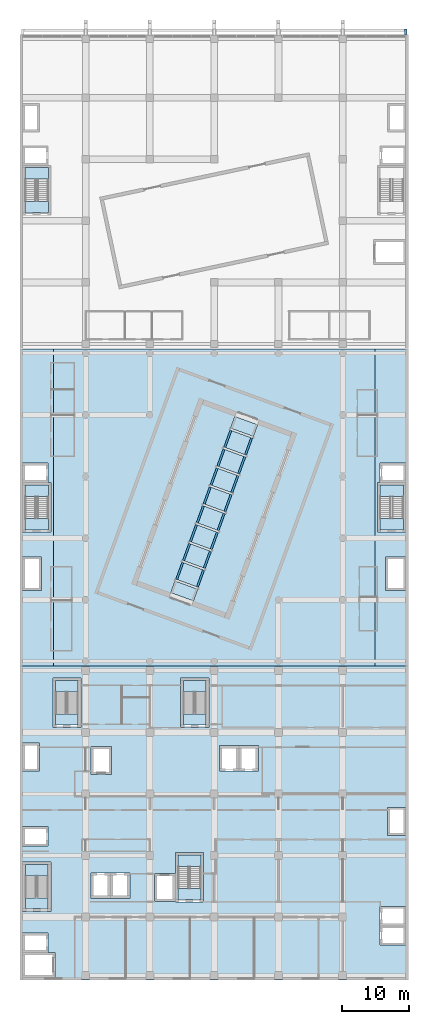
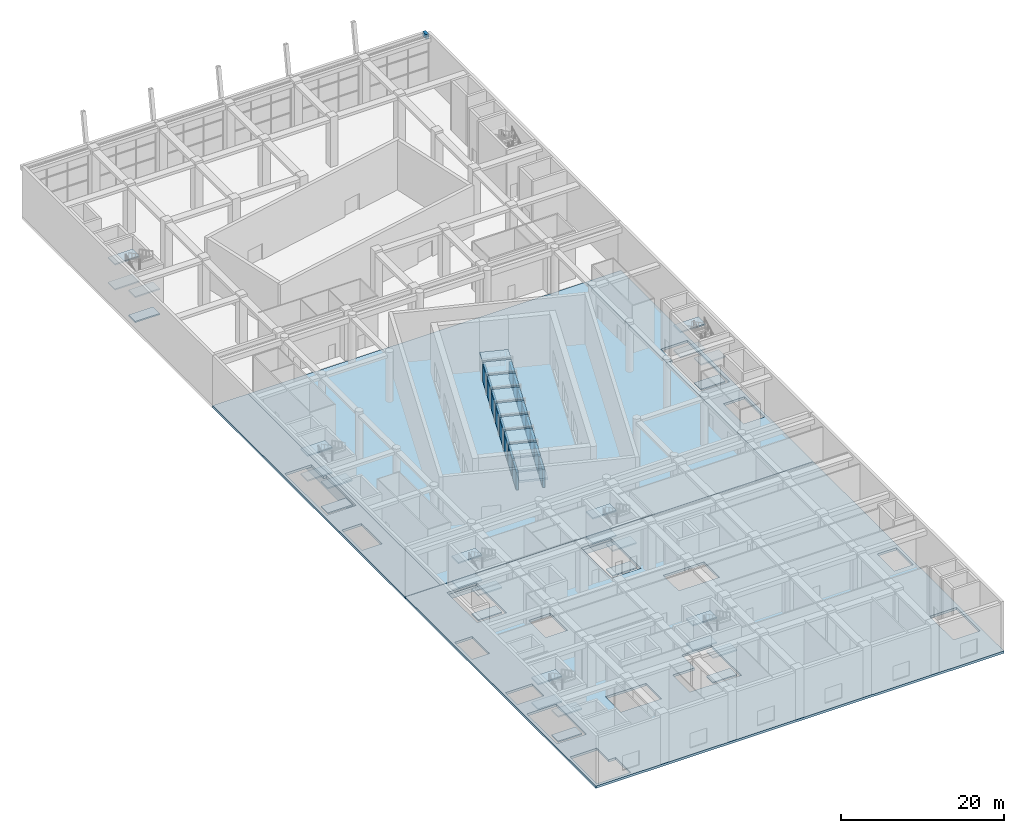
# One storey, part 11 of 36: 34 slabs, 24 plates, 1 beam, 7 elements without a shape of their own.
"""IFC4 building model written with IfcOpenShell, lengths in metres."""

from ifc_helpers import new_model, si_unit, direction, frame, origin, origin_2d, place, context, subcontext, project, spatial, polyline, rectangle, outline, extrude, material, layer, layer_set, material_profile, profile_set, type_object, element, aggregate, save


model = new_model("IFC4")

# Units and contexts
model_context = context("Model", 3, precision=1e-05, world=origin(), true_north=direction((0.0, 1.0)))
body_context = subcontext(model_context, "Body", "Model", "MODEL_VIEW")
ifc_project = project(units=[si_unit("LENGTHUNIT", "METRE"), si_unit("AREAUNIT", "SQUARE_METRE"), si_unit("VOLUMEUNIT", "CUBIC_METRE"), si_unit("PLANEANGLEUNIT", "RADIAN"), si_unit("MASSUNIT", "GRAM", prefix="KILO")], contexts=[model_context])

# Site, building, storey
site_placement = place(None, origin())
site = spatial("IfcSite", under=ifc_project, at=site_placement, CompositionType="ELEMENT")
building_placement = place(site_placement, origin())
building = spatial("IfcBuilding", under=site, at=building_placement, Name="Nzadi Deep Aquarium and Research Tower", CompositionType="ELEMENT")
storey_placement = place(building_placement, frame((0.0, 0.0, 14.199951171875)))
storey = spatial("IfcBuildingStorey", under=building, at=storey_placement, Name="L02", CompositionType="ELEMENT", Elevation=14.199951171875)

# Beam
ifc_material_1 = material(Name="Concrete C35/45", Category="concrete")
ifc_material_profile = material_profile(ifc_material_1, rectangle(XDim=0.39990234375, YDim=0.699951171875, at=origin_2d()))
ifc_profile_set = profile_set([ifc_material_profile], Name="Concrete C35/45")
beam_type = type_object("IfcBeamType", Name="RC 400x700", PredefinedType="BEAM", material=ifc_profile_set)
beam_placement = place(storey_placement, frame((57.39990234375, 141.0, 6.800048828125), z_axis=(0.0, 1.0, 0.0), x_axis=(-1.0, 0.0, 0.0)))
element("IfcBeam", 1, at=beam_placement, inside=storey, type_object=beam_type, Name="B-Z3-L03-CB7", PredefinedType="BEAM", context=body_context, shape_type="SweptSolid", body=[
    extrude(rectangle(XDim=0.39990234375, YDim=0.699951171875, at=origin_2d()), origin(), (0.0, 0.0, 1.0), 0.85009765625),
])

# Plates
ifc_material_2 = material(Name="Acrylic sheet")
ifc_layer_1 = layer(ifc_material_2, 0.300048828125)
ifc_layer_set_1 = layer_set([ifc_layer_1], Name="Acrylic sheet")
plate_type = type_object("IfcPlateType", Name="Acrylic panel 300", PredefinedType="SHEET", material=ifc_layer_set_1)
for number, where, z_axis, x_axis, name in (
    (2, (23.658203125, 60.8974609375, 0.0), (0.0, 0.0, 1.0), (0.939692620786, -0.342020143326, 0.0), "PL-TUN-S1W"),
    (3, (26.75927734375, 59.768798828125, 0.0), (0.0, 0.0, 1.0), (0.939692620786, -0.342020143326, 0.0), "PL-TUN-S1E"),
):
    element("IfcPlate", number, at=place(storey_placement, frame(where, z_axis=z_axis, x_axis=x_axis)), inside=storey, type_object=plate_type, Name=name, PredefinedType="SHEET", context=body_context, shape_type="SweptSolid", body=[
        extrude(rectangle(XDim=0.300048828125, YDim=2.699951171875, at=origin_2d()), origin(), (0.0, 0.0, 1.0), 2.60009765625),
    ])
plate_1_placement = place(storey_placement, frame((25.208740234375, 60.333251953125, 2.60009765625), z_axis=(0.0, 0.0, 1.0), x_axis=(0.939692620786, -0.342020143326, 0.0)))
element("IfcPlate", 4, at=plate_1_placement, inside=storey, type_object=plate_type, Name="PL-TUN-R1", PredefinedType="SHEET", context=body_context, shape_type="SweptSolid", body=[
    extrude(rectangle(XDim=3.60009765625, YDim=2.699951171875, at=origin_2d()), origin(), (0.0, 0.0, 1.0), 0.300048828125),
])
for number, where, z_axis, x_axis, name in (
    (5, (24.684326171875, 63.716552734375, 0.0), (0.0, 0.0, 1.0), (0.939692620786, -0.342020143326, 0.0), "PL-TUN-S2W"),
    (6, (27.785400390625, 62.587890625, 0.0), (0.0, 0.0, 1.0), (0.939692620786, -0.342020143326, 0.0), "PL-TUN-S2E"),
):
    element("IfcPlate", number, at=place(storey_placement, frame(where, z_axis=z_axis, x_axis=x_axis)), inside=storey, type_object=plate_type, Name=name, PredefinedType="SHEET", context=body_context, shape_type="SweptSolid", body=[
        extrude(rectangle(XDim=0.300048828125, YDim=2.699951171875, at=origin_2d()), origin(), (0.0, 0.0, 1.0), 2.60009765625),
    ])
plate_2_placement = place(storey_placement, frame((26.23486328125, 63.15234375, 2.60009765625), z_axis=(0.0, 0.0, 1.0), x_axis=(0.939692620786, -0.342020143326, 0.0)))
element("IfcPlate", 7, at=plate_2_placement, inside=storey, type_object=plate_type, Name="PL-TUN-R2", PredefinedType="SHEET", context=body_context, shape_type="SweptSolid", body=[
    extrude(rectangle(XDim=3.60009765625, YDim=2.699951171875, at=origin_2d()), origin(), (0.0, 0.0, 1.0), 0.300048828125),
])
for number, where, z_axis, x_axis, name in (
    (8, (25.71044921875, 66.53564453125, 0.0), (0.0, 0.0, 1.0), (0.939692620786, -0.342020143326, 0.0), "PL-TUN-S3W"),
    (9, (28.8115234375, 65.406982421875, 0.0), (0.0, 0.0, 1.0), (0.939692620786, -0.342020143326, 0.0), "PL-TUN-S3E"),
):
    element("IfcPlate", number, at=place(storey_placement, frame(where, z_axis=z_axis, x_axis=x_axis)), inside=storey, type_object=plate_type, Name=name, PredefinedType="SHEET", context=body_context, shape_type="SweptSolid", body=[
        extrude(rectangle(XDim=0.300048828125, YDim=2.699951171875, at=origin_2d()), origin(), (0.0, 0.0, 1.0), 2.60009765625),
    ])
plate_3_placement = place(storey_placement, frame((27.260986328125, 65.971435546875, 2.60009765625), z_axis=(0.0, 0.0, 1.0), x_axis=(0.939692620786, -0.342020143326, 0.0)))
element("IfcPlate", 10, at=plate_3_placement, inside=storey, type_object=plate_type, Name="PL-TUN-R3", PredefinedType="SHEET", context=body_context, shape_type="SweptSolid", body=[
    extrude(rectangle(XDim=3.60009765625, YDim=2.699951171875, at=origin_2d()), origin(), (0.0, 0.0, 1.0), 0.300048828125),
])
for number, where, z_axis, x_axis, name in (
    (11, (26.736572265625, 69.354736328125, 0.0), (0.0, 0.0, 1.0), (0.939692620786, -0.342020143326, 0.0), "PL-TUN-S4W"),
    (12, (29.83740234375, 68.22607421875, 0.0), (0.0, 0.0, 1.0), (0.939692620786, -0.342020143326, 0.0), "PL-TUN-S4E"),
):
    element("IfcPlate", number, at=place(storey_placement, frame(where, z_axis=z_axis, x_axis=x_axis)), inside=storey, type_object=plate_type, Name=name, PredefinedType="SHEET", context=body_context, shape_type="SweptSolid", body=[
        extrude(rectangle(XDim=0.300048828125, YDim=2.699951171875, at=origin_2d()), origin(), (0.0, 0.0, 1.0), 2.60009765625),
    ])
plate_4_placement = place(storey_placement, frame((28.286865234375, 68.79052734375, 2.60009765625), z_axis=(0.0, 0.0, 1.0), x_axis=(0.939692620786, -0.342020143326, 0.0)))
element("IfcPlate", 13, at=plate_4_placement, inside=storey, type_object=plate_type, Name="PL-TUN-R4", PredefinedType="SHEET", context=body_context, shape_type="SweptSolid", body=[
    extrude(rectangle(XDim=3.60009765625, YDim=2.699951171875, at=origin_2d()), origin(), (0.0, 0.0, 1.0), 0.300048828125),
])
for number, where, z_axis, x_axis, name in (
    (14, (27.762451171875, 72.173828125, 0.0), (0.0, 0.0, 1.0), (0.939692620786, -0.342020143326, 0.0), "PL-TUN-S5W"),
    (15, (30.863525390625, 71.045166015625, 0.0), (0.0, 0.0, 1.0), (0.939692620786, -0.342020143326, 0.0), "PL-TUN-S5E"),
):
    element("IfcPlate", number, at=place(storey_placement, frame(where, z_axis=z_axis, x_axis=x_axis)), inside=storey, type_object=plate_type, Name=name, PredefinedType="SHEET", context=body_context, shape_type="SweptSolid", body=[
        extrude(rectangle(XDim=0.300048828125, YDim=2.699951171875, at=origin_2d()), origin(), (0.0, 0.0, 1.0), 2.60009765625),
    ])
plate_5_placement = place(storey_placement, frame((29.31298828125, 71.609619140625, 2.60009765625), z_axis=(0.0, 0.0, 1.0), x_axis=(0.939692620786, -0.342020143326, 0.0)))
element("IfcPlate", 16, at=plate_5_placement, inside=storey, type_object=plate_type, Name="PL-TUN-R5", PredefinedType="SHEET", context=body_context, shape_type="SweptSolid", body=[
    extrude(rectangle(XDim=3.60009765625, YDim=2.699951171875, at=origin_2d()), origin(), (0.0, 0.0, 1.0), 0.300048828125),
])
for number, where, z_axis, x_axis, name in (
    (17, (28.78857421875, 74.992919921875, 0.0), (0.0, 0.0, 1.0), (0.939692620786, -0.342020143326, 0.0), "PL-TUN-S6W"),
    (18, (31.8896484375, 73.8642578125, 0.0), (0.0, 0.0, 1.0), (0.939692620786, -0.342020143326, 0.0), "PL-TUN-S6E"),
):
    element("IfcPlate", number, at=place(storey_placement, frame(where, z_axis=z_axis, x_axis=x_axis)), inside=storey, type_object=plate_type, Name=name, PredefinedType="SHEET", context=body_context, shape_type="SweptSolid", body=[
        extrude(rectangle(XDim=0.300048828125, YDim=2.699951171875, at=origin_2d()), origin(), (0.0, 0.0, 1.0), 2.60009765625),
    ])
plate_6_placement = place(storey_placement, frame((30.339111328125, 74.4287109375, 2.60009765625), z_axis=(0.0, 0.0, 1.0), x_axis=(0.939692620786, -0.342020143326, 0.0)))
element("IfcPlate", 19, at=plate_6_placement, inside=storey, type_object=plate_type, Name="PL-TUN-R6", PredefinedType="SHEET", context=body_context, shape_type="SweptSolid", body=[
    extrude(rectangle(XDim=3.60009765625, YDim=2.699951171875, at=origin_2d()), origin(), (0.0, 0.0, 1.0), 0.300048828125),
])
for number, where, z_axis, x_axis, name in (
    (20, (29.814697265625, 77.81201171875, 0.0), (0.0, 0.0, 1.0), (0.939692620786, -0.342020143326, 0.0), "PL-TUN-S7W"),
    (21, (32.91552734375, 76.683349609375, 0.0), (0.0, 0.0, 1.0), (0.939692620786, -0.342020143326, 0.0), "PL-TUN-S7E"),
):
    element("IfcPlate", number, at=place(storey_placement, frame(where, z_axis=z_axis, x_axis=x_axis)), inside=storey, type_object=plate_type, Name=name, PredefinedType="SHEET", context=body_context, shape_type="SweptSolid", body=[
        extrude(rectangle(XDim=0.300048828125, YDim=2.699951171875, at=origin_2d()), origin(), (0.0, 0.0, 1.0), 2.60009765625),
    ])
plate_7_placement = place(storey_placement, frame((31.365234375, 77.247802734375, 2.60009765625), z_axis=(0.0, 0.0, 1.0), x_axis=(0.939692620786, -0.342020143326, 0.0)))
element("IfcPlate", 22, at=plate_7_placement, inside=storey, type_object=plate_type, Name="PL-TUN-R7", PredefinedType="SHEET", context=body_context, shape_type="SweptSolid", body=[
    extrude(rectangle(XDim=3.60009765625, YDim=2.699951171875, at=origin_2d()), origin(), (0.0, 0.0, 1.0), 0.300048828125),
])
for number, where, z_axis, x_axis, name in (
    (23, (30.8408203125, 80.631103515625, 0.0), (0.0, 0.0, 1.0), (0.939692620786, -0.342020143326, 0.0), "PL-TUN-S8W"),
    (24, (33.941650390625, 79.50244140625, 0.0), (0.0, 0.0, 1.0), (0.939692620786, -0.342020143326, 0.0), "PL-TUN-S8E"),
):
    element("IfcPlate", number, at=place(storey_placement, frame(where, z_axis=z_axis, x_axis=x_axis)), inside=storey, type_object=plate_type, Name=name, PredefinedType="SHEET", context=body_context, shape_type="SweptSolid", body=[
        extrude(rectangle(XDim=0.300048828125, YDim=2.699951171875, at=origin_2d()), origin(), (0.0, 0.0, 1.0), 2.60009765625),
    ])
plate_8_placement = place(storey_placement, frame((32.39111328125, 80.06689453125, 2.60009765625), z_axis=(0.0, 0.0, 1.0), x_axis=(0.939692620786, -0.342020143326, 0.0)))
element("IfcPlate", 25, at=plate_8_placement, inside=storey, type_object=plate_type, Name="PL-TUN-R8", PredefinedType="SHEET", context=body_context, shape_type="SweptSolid", body=[
    extrude(rectangle(XDim=3.60009765625, YDim=2.699951171875, at=origin_2d()), origin(), (0.0, 0.0, 1.0), 0.300048828125),
])

# Stair, slabs
ifc_material_3 = material(Name="Concrete C35/45", Category="concrete")
stair_type = type_object("IfcStairType", Name="STAIR RETURN 3000", PredefinedType="NOTDEFINED", material=ifc_material_3)
stair_1_placement = place(storey_placement, origin())
stair_1 = element("IfcStair", 26, at=stair_1_placement, inside=storey, type_object=stair_type, Name="Stair ST-Z1-SW L02", PredefinedType="DOUBLE_RETURN_STAIR")
ifc_material_4 = material(Name="Concrete C35/45", Category="concrete")
ifc_layer_2 = layer(ifc_material_4, 0.199951171875)
ifc_layer_set_2 = layer_set([ifc_layer_2], Name="Concrete C35/45")
slab_type_1 = type_object("IfcSlabType", Name="LANDING 200", PredefinedType="LANDING", material=ifc_layer_set_2)
slab_1_placement = place(storey_placement, frame((0.0, 0.0, -0.199951171875)))
slab_1 = element("IfcSlab", 27, at=slab_1_placement, type_object=slab_type_1, Name="ST-Z1-SW landing 1", PredefinedType="LANDING", context=body_context, shape_type="SweptSolid", body=[
    extrude(outline(polyline([(0.60009765625, 10.449951171875), (4.0, 10.449951171875), (4.0, 12.070068359375), (0.60009765625, 12.070068359375), (0.60009765625, 10.449951171875)])), origin(), (0.0, 0.0, 1.0), 0.199951171875),
])
slab_2_placement = place(storey_placement, frame((0.0, 0.0, 1.675048828125)))
slab_2 = element("IfcSlab", 28, at=slab_2_placement, type_object=slab_type_1, Name="ST-Z1-SW landing 2", PredefinedType="LANDING", context=body_context, shape_type="SweptSolid", body=[
    extrude(outline(polyline([(0.60009765625, 15.3701171875), (4.0, 15.3701171875), (4.0, 17.050048828125), (0.60009765625, 17.050048828125), (0.60009765625, 15.3701171875)])), origin(), (0.0, 0.0, 1.0), 0.199951171875),
])
slab_3_placement = place(storey_placement, frame((0.0, 0.0, 3.550048828125)))
slab_3 = element("IfcSlab", 29, at=slab_3_placement, type_object=slab_type_1, Name="ST-Z1-SW landing 3", PredefinedType="LANDING", context=body_context, shape_type="SweptSolid", body=[
    extrude(outline(polyline([(0.60009765625, 10.449951171875), (4.0, 10.449951171875), (4.0, 12.070068359375), (0.60009765625, 12.070068359375), (0.60009765625, 10.449951171875)])), origin(), (0.0, 0.0, 1.0), 0.199951171875),
])
slab_4_placement = place(storey_placement, frame((0.0, 0.0, 5.425048828125)))
slab_4 = element("IfcSlab", 30, at=slab_4_placement, type_object=slab_type_1, Name="ST-Z1-SW landing 4", PredefinedType="LANDING", context=body_context, shape_type="SweptSolid", body=[
    extrude(outline(polyline([(0.60009765625, 15.3701171875), (4.0, 15.3701171875), (4.0, 17.050048828125), (0.60009765625, 17.050048828125), (0.60009765625, 15.3701171875)])), origin(), (0.0, 0.0, 1.0), 0.199951171875),
])
aggregate(stair_1, [slab_1, slab_2, slab_3, slab_4])

stair_2_placement = place(storey_placement, origin())
stair_2 = element("IfcStair", 31, at=stair_2_placement, inside=storey, type_object=stair_type, Name="Stair ST-Z1-SE L02", PredefinedType="DOUBLE_RETURN_STAIR")
slab_5_placement = place(storey_placement, frame((0.0, 0.0, -0.199951171875)))
slab_5 = element("IfcSlab", 32, at=slab_5_placement, type_object=slab_type_1, Name="ST-Z1-SE landing 1", PredefinedType="LANDING", context=body_context, shape_type="SweptSolid", body=[
    extrude(outline(polyline([(23.39990234375, 11.85009765625), (26.800048828125, 11.85009765625), (26.800048828125, 13.469970703125), (23.39990234375, 13.469970703125), (23.39990234375, 11.85009765625)])), origin(), (0.0, 0.0, 1.0), 0.199951171875),
])
slab_6_placement = place(storey_placement, frame((0.0, 0.0, 1.675048828125)))
slab_6 = element("IfcSlab", 33, at=slab_6_placement, type_object=slab_type_1, Name="ST-Z1-SE landing 2", PredefinedType="LANDING", context=body_context, shape_type="SweptSolid", body=[
    extrude(outline(polyline([(23.39990234375, 16.77001953125), (26.800048828125, 16.77001953125), (26.800048828125, 18.449951171875), (23.39990234375, 18.449951171875), (23.39990234375, 16.77001953125)])), origin(), (0.0, 0.0, 1.0), 0.199951171875),
])
slab_7_placement = place(storey_placement, frame((0.0, 0.0, 3.550048828125)))
slab_7 = element("IfcSlab", 34, at=slab_7_placement, type_object=slab_type_1, Name="ST-Z1-SE landing 3", PredefinedType="LANDING", context=body_context, shape_type="SweptSolid", body=[
    extrude(outline(polyline([(23.39990234375, 11.85009765625), (26.800048828125, 11.85009765625), (26.800048828125, 13.469970703125), (23.39990234375, 13.469970703125), (23.39990234375, 11.85009765625)])), origin(), (0.0, 0.0, 1.0), 0.199951171875),
])
slab_8_placement = place(storey_placement, frame((0.0, 0.0, 5.425048828125)))
slab_8 = element("IfcSlab", 35, at=slab_8_placement, type_object=slab_type_1, Name="ST-Z1-SE landing 4", PredefinedType="LANDING", context=body_context, shape_type="SweptSolid", body=[
    extrude(outline(polyline([(23.39990234375, 16.77001953125), (26.800048828125, 16.77001953125), (26.800048828125, 18.449951171875), (23.39990234375, 18.449951171875), (23.39990234375, 16.77001953125)])), origin(), (0.0, 0.0, 1.0), 0.199951171875),
])
aggregate(stair_2, [slab_5, slab_6, slab_7, slab_8])

stair_3_placement = place(storey_placement, origin())
stair_3 = element("IfcStair", 36, at=stair_3_placement, inside=storey, type_object=stair_type, Name="Stair ST-Z1-NW L02", PredefinedType="DOUBLE_RETURN_STAIR")
slab_9_placement = place(storey_placement, frame((0.0, 0.0, -0.199951171875)))
slab_9 = element("IfcSlab", 37, at=slab_9_placement, type_object=slab_type_1, Name="ST-Z1-NW landing 1", PredefinedType="LANDING", context=body_context, shape_type="SweptSolid", body=[
    extrude(outline(polyline([(5.10009765625, 37.89990234375), (8.5, 37.89990234375), (8.5, 39.52001953125), (5.10009765625, 39.52001953125), (5.10009765625, 37.89990234375)])), origin(), (0.0, 0.0, 1.0), 0.199951171875),
])
slab_10_placement = place(storey_placement, frame((0.0, 0.0, 1.675048828125)))
slab_10 = element("IfcSlab", 38, at=slab_10_placement, type_object=slab_type_1, Name="ST-Z1-NW landing 2", PredefinedType="LANDING", context=body_context, shape_type="SweptSolid", body=[
    extrude(outline(polyline([(5.10009765625, 42.820068359375), (8.5, 42.820068359375), (8.5, 44.5), (5.10009765625, 44.5), (5.10009765625, 42.820068359375)])), origin(), (0.0, 0.0, 1.0), 0.199951171875),
])
slab_11_placement = place(storey_placement, frame((0.0, 0.0, 3.550048828125)))
slab_11 = element("IfcSlab", 39, at=slab_11_placement, type_object=slab_type_1, Name="ST-Z1-NW landing 3", PredefinedType="LANDING", context=body_context, shape_type="SweptSolid", body=[
    extrude(outline(polyline([(5.10009765625, 37.89990234375), (8.5, 37.89990234375), (8.5, 39.52001953125), (5.10009765625, 39.52001953125), (5.10009765625, 37.89990234375)])), origin(), (0.0, 0.0, 1.0), 0.199951171875),
])
slab_12_placement = place(storey_placement, frame((0.0, 0.0, 5.425048828125)))
slab_12 = element("IfcSlab", 40, at=slab_12_placement, type_object=slab_type_1, Name="ST-Z1-NW landing 4", PredefinedType="LANDING", context=body_context, shape_type="SweptSolid", body=[
    extrude(outline(polyline([(5.10009765625, 42.820068359375), (8.5, 42.820068359375), (8.5, 44.5), (5.10009765625, 44.5), (5.10009765625, 42.820068359375)])), origin(), (0.0, 0.0, 1.0), 0.199951171875),
])
aggregate(stair_3, [slab_9, slab_10, slab_11, slab_12])

stair_4_placement = place(storey_placement, origin())
stair_4 = element("IfcStair", 41, at=stair_4_placement, inside=storey, type_object=stair_type, Name="Stair ST-Z1-NE L02", PredefinedType="DOUBLE_RETURN_STAIR")
slab_13_placement = place(storey_placement, frame((0.0, 0.0, -0.199951171875)))
slab_13 = element("IfcSlab", 42, at=slab_13_placement, type_object=slab_type_1, Name="ST-Z1-NE landing 1", PredefinedType="LANDING", context=body_context, shape_type="SweptSolid", body=[
    extrude(outline(polyline([(24.199951171875, 37.89990234375), (27.60009765625, 37.89990234375), (27.60009765625, 39.52001953125), (24.199951171875, 39.52001953125), (24.199951171875, 37.89990234375)])), origin(), (0.0, 0.0, 1.0), 0.199951171875),
])
slab_14_placement = place(storey_placement, frame((0.0, 0.0, 1.675048828125)))
slab_14 = element("IfcSlab", 43, at=slab_14_placement, type_object=slab_type_1, Name="ST-Z1-NE landing 2", PredefinedType="LANDING", context=body_context, shape_type="SweptSolid", body=[
    extrude(outline(polyline([(24.199951171875, 42.820068359375), (27.60009765625, 42.820068359375), (27.60009765625, 44.5), (24.199951171875, 44.5), (24.199951171875, 42.820068359375)])), origin(), (0.0, 0.0, 1.0), 0.199951171875),
])
slab_15_placement = place(storey_placement, frame((0.0, 0.0, 3.550048828125)))
slab_15 = element("IfcSlab", 44, at=slab_15_placement, type_object=slab_type_1, Name="ST-Z1-NE landing 3", PredefinedType="LANDING", context=body_context, shape_type="SweptSolid", body=[
    extrude(outline(polyline([(24.199951171875, 37.89990234375), (27.60009765625, 37.89990234375), (27.60009765625, 39.52001953125), (24.199951171875, 39.52001953125), (24.199951171875, 37.89990234375)])), origin(), (0.0, 0.0, 1.0), 0.199951171875),
])
slab_16_placement = place(storey_placement, frame((0.0, 0.0, 5.425048828125)))
slab_16 = element("IfcSlab", 45, at=slab_16_placement, type_object=slab_type_1, Name="ST-Z1-NE landing 4", PredefinedType="LANDING", context=body_context, shape_type="SweptSolid", body=[
    extrude(outline(polyline([(24.199951171875, 42.820068359375), (27.60009765625, 42.820068359375), (27.60009765625, 44.5), (24.199951171875, 44.5), (24.199951171875, 42.820068359375)])), origin(), (0.0, 0.0, 1.0), 0.199951171875),
])
aggregate(stair_4, [slab_13, slab_14, slab_15, slab_16])

stair_5_placement = place(storey_placement, origin())
stair_5 = element("IfcStair", 46, at=stair_5_placement, inside=storey, type_object=stair_type, Name="Stair ST-Z2-W L02", PredefinedType="DOUBLE_RETURN_STAIR")
slab_17_placement = place(storey_placement, frame((0.0, 0.0, -0.199951171875)))
slab_17 = element("IfcSlab", 47, at=slab_17_placement, type_object=slab_type_1, Name="ST-Z2-W landing 1", PredefinedType="LANDING", context=body_context, shape_type="SweptSolid", body=[
    extrude(outline(polyline([(0.550048828125, 67.050048828125), (4.050048828125, 67.050048828125), (4.050048828125, 68.7099609375), (0.550048828125, 68.7099609375), (0.550048828125, 67.050048828125)])), origin(), (0.0, 0.0, 1.0), 0.199951171875),
])
slab_18_placement = place(storey_placement, frame((0.0, 0.0, 1.675048828125)))
slab_18 = element("IfcSlab", 48, at=slab_18_placement, type_object=slab_type_1, Name="ST-Z2-W landing 2", PredefinedType="LANDING", context=body_context, shape_type="SweptSolid", body=[
    extrude(outline(polyline([(0.550048828125, 72.010009765625), (4.050048828125, 72.010009765625), (4.050048828125, 73.75), (0.550048828125, 73.75), (0.550048828125, 72.010009765625)])), origin(), (0.0, 0.0, 1.0), 0.199951171875),
])
slab_19_placement = place(storey_placement, frame((0.0, 0.0, 3.550048828125)))
slab_19 = element("IfcSlab", 49, at=slab_19_placement, type_object=slab_type_1, Name="ST-Z2-W landing 3", PredefinedType="LANDING", context=body_context, shape_type="SweptSolid", body=[
    extrude(outline(polyline([(0.550048828125, 67.050048828125), (4.050048828125, 67.050048828125), (4.050048828125, 68.7099609375), (0.550048828125, 68.7099609375), (0.550048828125, 67.050048828125)])), origin(), (0.0, 0.0, 1.0), 0.199951171875),
])
slab_20_placement = place(storey_placement, frame((0.0, 0.0, 5.425048828125)))
slab_20 = element("IfcSlab", 50, at=slab_20_placement, type_object=slab_type_1, Name="ST-Z2-W landing 4", PredefinedType="LANDING", context=body_context, shape_type="SweptSolid", body=[
    extrude(outline(polyline([(0.550048828125, 72.010009765625), (4.050048828125, 72.010009765625), (4.050048828125, 73.75), (0.550048828125, 73.75), (0.550048828125, 72.010009765625)])), origin(), (0.0, 0.0, 1.0), 0.199951171875),
])
aggregate(stair_5, [slab_17, slab_18, slab_19, slab_20])

stair_6_placement = place(storey_placement, origin())
stair_6 = element("IfcStair", 51, at=stair_6_placement, inside=storey, type_object=stair_type, Name="Stair ST-Z2-E L02", PredefinedType="DOUBLE_RETURN_STAIR")
slab_21_placement = place(storey_placement, frame((0.0, 0.0, -0.199951171875)))
slab_21 = element("IfcSlab", 52, at=slab_21_placement, type_object=slab_type_1, Name="ST-Z2-E landing 1", PredefinedType="LANDING", context=body_context, shape_type="SweptSolid", body=[
    extrude(outline(polyline([(57.050048828125, 68.7099609375), (53.550048828125, 68.7099609375), (53.550048828125, 67.050048828125), (57.050048828125, 67.050048828125), (57.050048828125, 68.7099609375)])), origin(), (0.0, 0.0, 1.0), 0.199951171875),
])
slab_22_placement = place(storey_placement, frame((0.0, 0.0, 1.675048828125)))
slab_22 = element("IfcSlab", 53, at=slab_22_placement, type_object=slab_type_1, Name="ST-Z2-E landing 2", PredefinedType="LANDING", context=body_context, shape_type="SweptSolid", body=[
    extrude(outline(polyline([(57.050048828125, 73.75), (53.550048828125, 73.75), (53.550048828125, 72.010009765625), (57.050048828125, 72.010009765625), (57.050048828125, 73.75)])), origin(), (0.0, 0.0, 1.0), 0.199951171875),
])
slab_23_placement = place(storey_placement, frame((0.0, 0.0, 3.550048828125)))
slab_23 = element("IfcSlab", 54, at=slab_23_placement, type_object=slab_type_1, Name="ST-Z2-E landing 3", PredefinedType="LANDING", context=body_context, shape_type="SweptSolid", body=[
    extrude(outline(polyline([(57.050048828125, 68.7099609375), (53.550048828125, 68.7099609375), (53.550048828125, 67.050048828125), (57.050048828125, 67.050048828125), (57.050048828125, 68.7099609375)])), origin(), (0.0, 0.0, 1.0), 0.199951171875),
])
slab_24_placement = place(storey_placement, frame((0.0, 0.0, 5.425048828125)))
slab_24 = element("IfcSlab", 55, at=slab_24_placement, type_object=slab_type_1, Name="ST-Z2-E landing 4", PredefinedType="LANDING", context=body_context, shape_type="SweptSolid", body=[
    extrude(outline(polyline([(57.050048828125, 73.75), (53.550048828125, 73.75), (53.550048828125, 72.010009765625), (57.050048828125, 72.010009765625), (57.050048828125, 73.75)])), origin(), (0.0, 0.0, 1.0), 0.199951171875),
])
aggregate(stair_6, [slab_21, slab_22, slab_23, slab_24])

stair_7_placement = place(storey_placement, origin())
stair_7 = element("IfcStair", 56, at=stair_7_placement, inside=storey, type_object=stair_type, Name="Stair ST-Z3-W L02", PredefinedType="DOUBLE_RETURN_STAIR")
slab_25_placement = place(storey_placement, frame((0.0, 0.0, -0.199951171875)))
slab_25 = element("IfcSlab", 57, at=slab_25_placement, type_object=slab_type_1, Name="ST-Z3-W landing 1", PredefinedType="LANDING", context=body_context, shape_type="SweptSolid", body=[
    extrude(outline(polyline([(0.550048828125, 114.449951171875), (4.050048828125, 114.449951171875), (4.050048828125, 116.110107421875), (0.550048828125, 116.110107421875), (0.550048828125, 114.449951171875)])), origin(), (0.0, 0.0, 1.0), 0.199951171875),
])
slab_26_placement = place(storey_placement, frame((0.0, 0.0, 1.675048828125)))
slab_26 = element("IfcSlab", 58, at=slab_26_placement, type_object=slab_type_1, Name="ST-Z3-W landing 2", PredefinedType="LANDING", context=body_context, shape_type="SweptSolid", body=[
    extrude(outline(polyline([(0.550048828125, 119.409912109375), (4.050048828125, 119.409912109375), (4.050048828125, 121.14990234375), (0.550048828125, 121.14990234375), (0.550048828125, 119.409912109375)])), origin(), (0.0, 0.0, 1.0), 0.199951171875),
])
slab_27_placement = place(storey_placement, frame((0.0, 0.0, 3.550048828125)))
slab_27 = element("IfcSlab", 59, at=slab_27_placement, type_object=slab_type_1, Name="ST-Z3-W landing 3", PredefinedType="LANDING", context=body_context, shape_type="SweptSolid", body=[
    extrude(outline(polyline([(0.550048828125, 114.449951171875), (4.050048828125, 114.449951171875), (4.050048828125, 116.110107421875), (0.550048828125, 116.110107421875), (0.550048828125, 114.449951171875)])), origin(), (0.0, 0.0, 1.0), 0.199951171875),
])
slab_28_placement = place(storey_placement, frame((0.0, 0.0, 5.425048828125)))
slab_28 = element("IfcSlab", 60, at=slab_28_placement, type_object=slab_type_1, Name="ST-Z3-W landing 4", PredefinedType="LANDING", context=body_context, shape_type="SweptSolid", body=[
    extrude(outline(polyline([(0.550048828125, 119.409912109375), (4.050048828125, 119.409912109375), (4.050048828125, 121.14990234375), (0.550048828125, 121.14990234375), (0.550048828125, 119.409912109375)])), origin(), (0.0, 0.0, 1.0), 0.199951171875),
])
aggregate(stair_7, [slab_25, slab_26, slab_27, slab_28])

# Slabs
ifc_material_5 = material(Name="Concrete C35/45", Category="concrete")
ifc_layer_3 = layer(ifc_material_5, 0.35009765625)
ifc_layer_set_3 = layer_set([ifc_layer_3], Name="Concrete C35/45")
slab_type_2 = type_object("IfcSlabType", Name="RC floor slab 350", PredefinedType="FLOOR", material=ifc_layer_set_3)
slab_29_placement = place(storey_placement, frame((0.0, 0.0, -0.349853515625)))
element("IfcSlab", 61, at=slab_29_placement, inside=storey, type_object=slab_type_2, Name="Floor slab Z1 L02", PredefinedType="FLOOR", context=body_context, shape_type="SweptSolid", body=[
    extrude(outline(polyline([(-0.199462890625, -0.199951171875), (57.799560546875, -0.199951171875), (57.799560546875, 46.679931640625), (-0.199462890625, 46.679931640625), (-0.199462890625, -0.199951171875)]), holes=[polyline([(4.39990234375, 17.449951171875), (4.39990234375, 10.050048828125), (0.199951171875, 10.050048828125), (0.199951171875, 17.449951171875), (4.39990234375, 17.449951171875)]), polyline([(19.89990234375, 15.699951171875), (23.0, 15.699951171875), (23.0, 18.85009765625), (27.199951171875, 18.85009765625), (27.199951171875, 11.449951171875), (23.0, 11.449951171875), (23.0, 11.5), (19.89990234375, 11.5), (19.89990234375, 15.699951171875)]), polyline([(4.699951171875, 37.5), (4.699951171875, 44.89990234375), (8.89990234375, 44.89990234375), (8.89990234375, 37.5), (4.699951171875, 37.5)]), polyline([(23.800048828125, 44.89990234375), (28.0, 44.89990234375), (28.0, 37.5), (23.800048828125, 37.5), (23.800048828125, 44.89990234375)]), polyline([(0.199951171875, 0.199951171875), (0.199951171875, 3.89990234375), (0.199951171875, 6.800048828125), (4.0, 6.800048828125), (4.0, 3.89990234375), (5.0, 3.89990234375), (5.0, 0.199951171875), (0.199951171875, 0.199951171875)]), polyline([(0.199951171875, 19.800048828125), (0.199951171875, 22.699951171875), (4.0, 22.699951171875), (4.0, 19.800048828125), (0.199951171875, 19.800048828125)]), polyline([(57.39990234375, 7.89990234375), (57.39990234375, 5.0), (53.60009765625, 5.0), (53.60009765625, 7.89990234375), (53.60009765625, 10.800048828125), (57.39990234375, 10.800048828125), (57.39990234375, 7.89990234375)]), polyline([(2.699951171875, 31.0), (0.199951171875, 31.0), (0.199951171875, 35.199951171875), (2.699951171875, 35.199951171875), (2.699951171875, 31.0)]), polyline([(54.699951171875, 21.39990234375), (54.699951171875, 25.60009765625), (57.39990234375, 25.60009765625), (57.39990234375, 21.39990234375), (54.699951171875, 21.39990234375)]), polyline([(16.199951171875, 15.800048828125), (16.199951171875, 12.0), (13.300048828125, 12.0), (10.39990234375, 12.0), (10.39990234375, 15.800048828125), (13.300048828125, 15.800048828125), (16.199951171875, 15.800048828125)]), polyline([(10.39990234375, 30.5), (10.39990234375, 34.699951171875), (13.5, 34.699951171875), (13.5, 30.5), (10.39990234375, 30.5)]), polyline([(29.60009765625, 34.800048828125), (32.5, 34.800048828125), (35.39990234375, 34.800048828125), (35.39990234375, 31.0), (32.5, 31.0), (29.60009765625, 31.0), (29.60009765625, 34.800048828125)])]), origin(), (0.0, 0.0, 1.0), 0.349853515625),
])
slab_30_placement = place(storey_placement, frame((0.0, 0.0, -0.349853515625)))
element("IfcSlab", 62, at=slab_30_placement, inside=storey, type_object=slab_type_2, Name="Floor slab Z2 L02 west", PredefinedType="FLOOR", context=body_context, shape_type="SweptSolid", body=[
    extrude(outline(polyline([(4.800048828125, 94.080078125), (-0.199462890625, 94.080078125), (-0.199462890625, 46.719970703125), (4.800048828125, 46.719970703125), (4.800048828125, 94.080078125)]), holes=[polyline([(4.0, 77.0), (4.0, 74.10009765625), (4.39990234375, 74.10009765625), (4.39990234375, 66.699951171875), (0.199951171875, 66.699951171875), (0.199951171875, 74.10009765625), (0.199951171875, 77.0), (4.0, 77.0)]), polyline([(3.0, 63.0), (3.0, 58.0), (0.199951171875, 58.0), (0.199951171875, 63.0), (3.0, 63.0)])]), origin(), (0.0, 0.0, 1.0), 0.349853515625),
])
slab_31_placement = place(storey_placement, frame((0.0, 0.0, -0.349853515625)))
element("IfcSlab", 63, at=slab_31_placement, inside=storey, type_object=slab_type_2, Name="Floor slab Z2 L02 east", PredefinedType="FLOOR", context=body_context, shape_type="SweptSolid", body=[
    extrude(outline(polyline([(57.799560546875, 94.080078125), (52.800048828125, 94.080078125), (52.800048828125, 46.719970703125), (57.799560546875, 46.719970703125), (57.799560546875, 94.080078125)]), holes=[polyline([(53.199951171875, 66.699951171875), (53.199951171875, 74.10009765625), (53.60009765625, 74.10009765625), (53.60009765625, 77.0), (57.39990234375, 77.0), (57.39990234375, 74.10009765625), (57.39990234375, 66.699951171875), (53.199951171875, 66.699951171875)]), polyline([(57.39990234375, 63.0), (57.39990234375, 58.0), (54.39990234375, 58.0), (54.39990234375, 63.0), (57.39990234375, 63.0)])]), origin(), (0.0, 0.0, 1.0), 0.349853515625),
])
ifc_material_6 = material(Name="Concrete C40/50", Category="concrete")
ifc_layer_4 = layer(ifc_material_6, 2.60009765625)
ifc_layer_set_4 = layer_set([ifc_layer_4], Name="Concrete C40/50")
slab_type_3 = type_object("IfcSlabType", Name="Transfer slab 2600", PredefinedType="FLOOR", material=ifc_layer_set_4)
slab_32_placement = place(storey_placement, frame((0.0, 0.0, -2.599853515625)))
element("IfcSlab", 64, at=slab_32_placement, inside=storey, type_object=slab_type_3, Name="Transfer slab", PredefinedType="FLOOR", context=body_context, shape_type="SweptSolid", body=[
    extrude(outline(polyline([(52.800048828125, 46.719970703125), (52.800048828125, 94.080078125), (4.800048828125, 94.080078125), (4.800048828125, 46.719970703125), (52.800048828125, 46.719970703125)])), origin(), (0.0, 0.0, 1.0), 2.599853515625),
])
ifc_material_7 = material(Name="Concrete C40/50", Category="concrete")
ifc_layer_5 = layer(ifc_material_7, 0.300048828125)
ifc_layer_set_5 = layer_set([ifc_layer_5], Name="Concrete C40/50")
slab_type_4 = type_object("IfcSlabType", Name="Tunnel sleeve slab 300", PredefinedType="FLOOR", material=ifc_layer_set_5)
slab_33_placement = place(storey_placement, frame((0.0, 0.0, 2.60009765625)))
element("IfcSlab", 65, at=slab_33_placement, inside=storey, type_object=slab_type_4, Name="Tunnel sleeve roof S", PredefinedType="FLOOR", context=body_context, shape_type="SweptSolid", body=[
    extrude(outline(polyline([(22.3203125, 57.659912109375), (25.703125, 56.4287109375), (26.3359375, 58.1669921875), (22.953125, 59.3984375), (22.3203125, 57.659912109375)])), origin(), (0.0, 0.0, 1.0), 0.300048828125),
])
slab_34_placement = place(storey_placement, frame((0.0, 0.0, 2.60009765625)))
element("IfcSlab", 66, at=slab_34_placement, inside=storey, type_object=slab_type_4, Name="Tunnel sleeve roof N", PredefinedType="FLOOR", context=body_context, shape_type="SweptSolid", body=[
    extrude(outline(polyline([(31.26416015625, 82.23291015625), (34.64697265625, 81.001708984375), (35.27978515625, 82.739990234375), (31.896728515625, 83.971435546875), (31.26416015625, 82.23291015625)])), origin(), (0.0, 0.0, 1.0), 0.300048828125),
])

save(model, "model.ifc")
